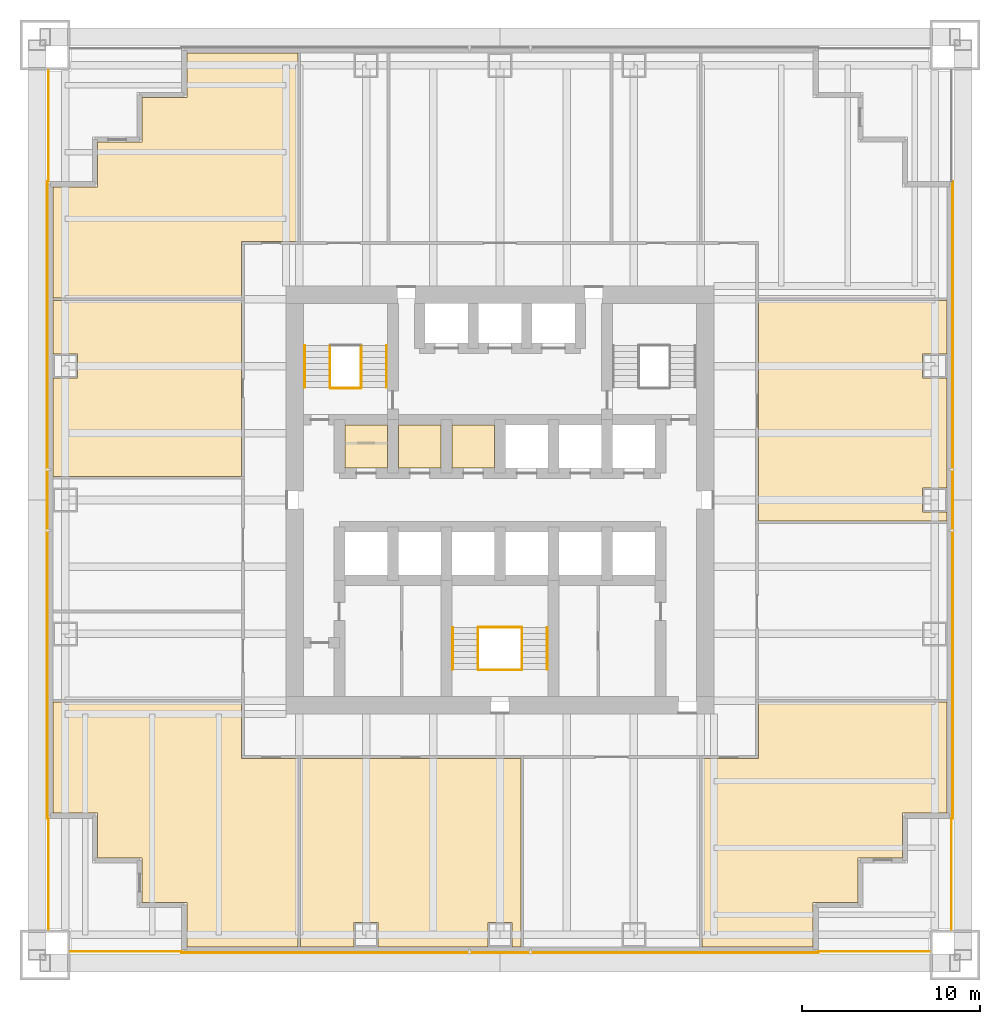
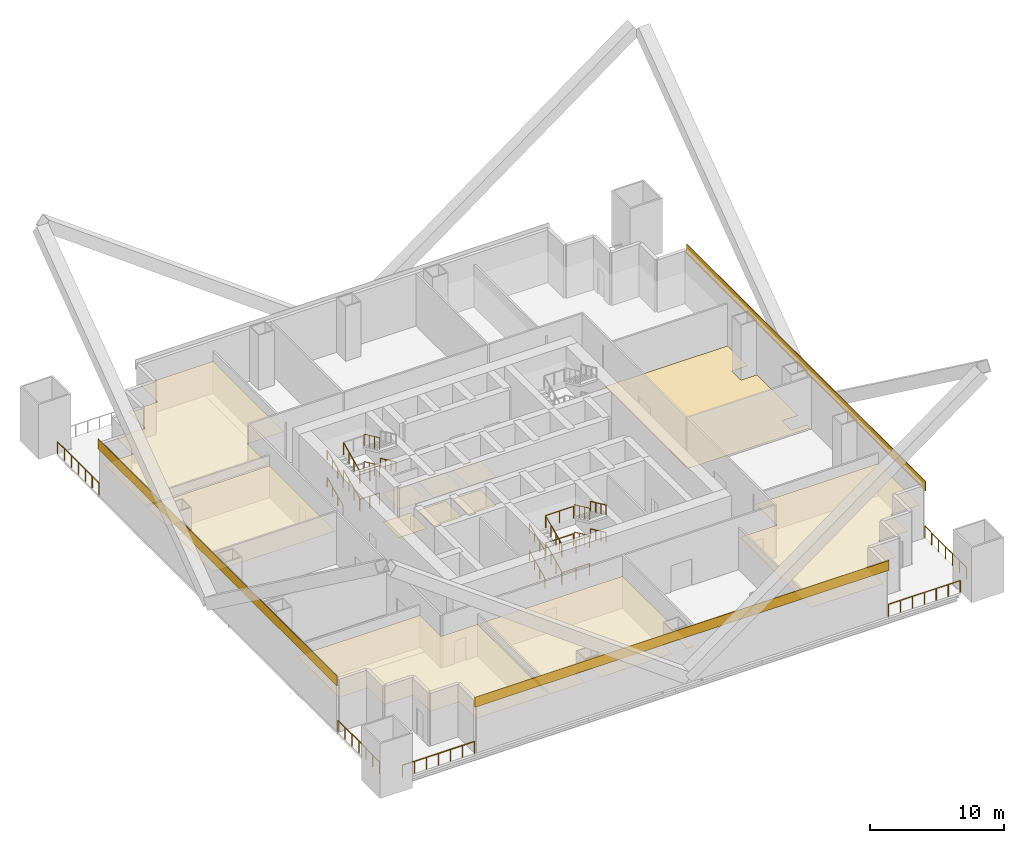
# One storey, part 6 of 7: 26 railings, 15 coverings.
"""IFC4 building model written with IfcOpenShell, lengths in metres."""

from ifc_helpers import new_model, si_unit, direction, frame, origin, origin_2d, place, context, subcontext, project, spatial, polyline, rectangle, circle, outline, extrude, material, layer, layer_set, type_object, element, save


model = new_model("IFC4")

# Units and contexts
model_context = context("Model", 3, precision=1e-05, world=origin(), true_north=direction((0.0, 1.0)))
body_context = subcontext(model_context, "Body", "Model", "MODEL_VIEW")
ifc_project = project(units=[si_unit("LENGTHUNIT", "METRE"), si_unit("AREAUNIT", "SQUARE_METRE"), si_unit("VOLUMEUNIT", "CUBIC_METRE"), si_unit("PLANEANGLEUNIT", "RADIAN"), si_unit("MASSUNIT", "GRAM", prefix="KILO")], contexts=[model_context])

# Site, building, storey
site_placement = place(None, origin())
site = spatial("IfcSite", under=ifc_project, at=site_placement, CompositionType="ELEMENT")
building_placement = place(site_placement, origin())
building = spatial("IfcBuilding", under=site, at=building_placement, Name="Tarangal Relay Tower", CompositionType="ELEMENT")
storey_placement = place(building_placement, frame((0.0, 0.0, 78.39990234375)))
storey = spatial("IfcBuildingStorey", under=building, at=storey_placement, Name="L15", CompositionType="ELEMENT", Elevation=78.39990234375)

# Coverings
ifc_material_1 = material(Name="Anti-static vinyl flooring", Category="plastic")
ifc_layer_1 = layer(ifc_material_1, 0.010009765625)
ifc_layer_set_1 = layer_set([ifc_layer_1], Name="Anti-static vinyl floor")
covering_type_1 = type_object("IfcCoveringType", Name="Anti-static vinyl floor", PredefinedType="FLOORING", material=ifc_layer_set_1)
covering_1_placement = place(storey_placement, origin())
element("IfcCovering", 1, at=covering_1_placement, inside=storey, type_object=covering_type_1, Name="Floor finish FL1 L15-D1", PredefinedType="FLOORING", context=body_context, shape_type="SweptSolid", body=[
    extrude(outline(polyline([(-8.699951171875, 1.800048828125), (-6.300048828125, 1.800048828125), (-6.300048828125, 4.199951171875), (-8.699951171875, 4.199951171875), (-8.699951171875, 1.800048828125)])), origin(), (0.0, 0.0, 1.0), 0.010009765625),
])
covering_2_placement = place(storey_placement, origin())
element("IfcCovering", 2, at=covering_2_placement, inside=storey, type_object=covering_type_1, Name="Floor finish FL1 L15-D2", PredefinedType="FLOORING", context=body_context, shape_type="SweptSolid", body=[
    extrude(outline(polyline([(-5.699951171875, 1.800048828125), (-3.300048828125, 1.800048828125), (-3.300048828125, 4.199951171875), (-5.699951171875, 4.199951171875), (-5.699951171875, 1.800048828125)])), origin(), (0.0, 0.0, 1.0), 0.010009765625),
])
covering_3_placement = place(storey_placement, origin())
element("IfcCovering", 3, at=covering_3_placement, inside=storey, type_object=covering_type_1, Name="Floor finish FL1 L15-D3", PredefinedType="FLOORING", context=body_context, shape_type="SweptSolid", body=[
    extrude(outline(polyline([(-2.699951171875, 1.800048828125), (-0.300048828125, 1.800048828125), (-0.300048828125, 4.199951171875), (-2.699951171875, 4.199951171875), (-2.699951171875, 1.800048828125)])), origin(), (0.0, 0.0, 1.0), 0.010009765625),
])
covering_4_placement = place(storey_placement, origin())
element("IfcCovering", 4, at=covering_4_placement, inside=storey, type_object=covering_type_1, Name="Floor finish FL1 L15-05", PredefinedType="FLOORING", context=body_context, shape_type="SweptSolid", body=[
    extrude(outline(polyline([(25.050048828125, -1.175048828125), (25.050048828125, 11.175048828125), (14.47509765625, 11.175048828125), (14.47509765625, -1.175048828125), (25.050048828125, -1.175048828125)]), holes=[polyline([(25.0400390625, -0.675048828125), (25.0400390625, 0.675048828125), (23.68994140625, 0.675048828125), (23.68994140625, -0.675048828125), (25.0400390625, -0.675048828125)]), polyline([(25.0400390625, 6.824951171875), (25.0400390625, 8.175048828125), (23.68994140625, 8.175048828125), (23.68994140625, 6.824951171875), (25.0400390625, 6.824951171875)])]), origin(), (0.0, 0.0, 1.0), 0.010009765625),
])
ifc_material_2 = material(Name="Black anodised aluminium cladding", Category="aluminium")
ifc_layer_2 = layer(ifc_material_2, 0.050048828125)
ifc_layer_set_2 = layer_set([ifc_layer_2], Name="Black metal spandrel band")
covering_type_2 = type_object("IfcCoveringType", Name="Black metal spandrel band", PredefinedType="CLADDING", material=ifc_layer_set_2)
for number, where, z_axis, x_axis, name in (
    (5, (25.375, 0.0, 4.250244140625), (0.0, 0.0, 1.0), (0.0, -1.0, 0.0), "Spandrel band SB1 E L15"),
    (6, (0.0, -25.375, 4.250244140625), (0.0, 0.0, 1.0), (-1.0, 0.0, 0.0), "Spandrel band SB1 S L15"),
    (7, (-25.375, 0.0, 4.250244140625), (0.0, 0.0, 1.0), (0.0, 1.0, 0.0), "Spandrel band SB1 W L15"),
):
    element("IfcCovering", number, at=place(storey_placement, frame(where, z_axis=z_axis, x_axis=x_axis)), inside=storey, type_object=covering_type_2, Name=name, PredefinedType="CLADDING", context=body_context, shape_type="SweptSolid", body=[
        extrude(rectangle(XDim=35.699951171875, YDim=0.050048828125, at=origin_2d()), origin(), (0.0, 0.0, 1.0), 0.89990234375),
    ])

# Railings
ifc_material_3 = material(Name="Steel guard, black finish", Category="steel")
railing_type_1 = type_object("IfcRailingType", Name="Stair guard 1100", PredefinedType="GUARDRAIL", material=ifc_material_3)
railing_1_placement = place(storey_placement, frame((-9.530029296875, 6.300048828125, 0.156494140625)))
element("IfcRailing", 8, at=railing_1_placement, inside=storey, type_object=railing_type_1, Name="Stair ST-A guard GR1 L15 flight 1", PredefinedType="GUARDRAIL", context=body_context, shape_type="SweptSolid", body=[
    extrude(circle(Radius=0.02392578125, at=origin_2d()), frame((0.0, 0.0, 1.076171875), z_axis=(0.0, 0.906303632821, 0.42262717037), x_axis=(-1.0, 0.0, 0.0)), (0.0, 0.0, 1.0), 2.58740234375),
    extrude(circle(Radius=0.02099609375, at=origin_2d()), origin(), (0.0, 0.0, 1.0), 1.052001953125),
    extrude(circle(Radius=0.02099609375, at=origin_2d()), frame((0.0, 0.78173828125, 0.364501953125)), (0.0, 0.0, 1.0), 1.052001953125),
    extrude(circle(Radius=0.02099609375, at=origin_2d()), frame((0.0, 1.563232421875, 0.72900390625)), (0.0, 0.0, 1.0), 1.052001953125),
    extrude(circle(Radius=0.02099609375, at=origin_2d()), frame((0.0, 2.344970703125, 1.093505859375)), (0.0, 0.0, 1.0), 1.052001953125),
])
railing_2_placement = place(storey_placement, frame((-7.77001953125, 8.64501953125, 1.406494140625)))
element("IfcRailing", 9, at=railing_2_placement, inside=storey, type_object=railing_type_1, Name="Stair ST-A guard GR1 L15 flight 2", PredefinedType="GUARDRAIL", context=body_context, shape_type="SweptSolid", body=[
    extrude(circle(Radius=0.02392578125, at=origin_2d()), frame((0.0, 0.0, 1.076171875), z_axis=(0.0, -0.906303632821, 0.42262717037), x_axis=(1.0, 0.0, 0.0)), (0.0, 0.0, 1.0), 2.58740234375),
    extrude(circle(Radius=0.02099609375, at=origin_2d()), origin(), (0.0, 0.0, 1.0), 1.052001953125),
    extrude(circle(Radius=0.02099609375, at=origin_2d()), frame((0.0, -0.78173828125, 0.364501953125)), (0.0, 0.0, 1.0), 1.052001953125),
    extrude(circle(Radius=0.02099609375, at=origin_2d()), frame((0.0, -1.563232421875, 0.72900390625)), (0.0, 0.0, 1.0), 1.052001953125),
    extrude(circle(Radius=0.02099609375, at=origin_2d()), frame((0.0, -2.344970703125, 1.093505859375)), (0.0, 0.0, 1.0), 1.052001953125),
])
railing_3_placement = place(storey_placement, frame((-9.530029296875, 6.300048828125, 2.656494140625)))
element("IfcRailing", 10, at=railing_3_placement, inside=storey, type_object=railing_type_1, Name="Stair ST-A guard GR1 L15 flight 3", PredefinedType="GUARDRAIL", context=body_context, shape_type="SweptSolid", body=[
    extrude(circle(Radius=0.02392578125, at=origin_2d()), frame((0.0, 0.0, 1.076171875), z_axis=(0.0, 0.906303632821, 0.42262717037), x_axis=(-1.0, 0.0, 0.0)), (0.0, 0.0, 1.0), 2.58740234375),
    extrude(circle(Radius=0.02099609375, at=origin_2d()), origin(), (0.0, 0.0, 1.0), 1.052001953125),
    extrude(circle(Radius=0.02099609375, at=origin_2d()), frame((0.0, 0.78173828125, 0.364501953125)), (0.0, 0.0, 1.0), 1.052001953125),
    extrude(circle(Radius=0.02099609375, at=origin_2d()), frame((0.0, 1.563232421875, 0.72900390625)), (0.0, 0.0, 1.0), 1.052001953125),
    extrude(circle(Radius=0.02099609375, at=origin_2d()), frame((0.0, 2.344970703125, 1.093505859375)), (0.0, 0.0, 1.0), 1.052001953125),
])
railing_4_placement = place(storey_placement, frame((-7.77001953125, 8.64501953125, 3.906494140625)))
element("IfcRailing", 11, at=railing_4_placement, inside=storey, type_object=railing_type_1, Name="Stair ST-A guard GR1 L15 flight 4", PredefinedType="GUARDRAIL", context=body_context, shape_type="SweptSolid", body=[
    extrude(circle(Radius=0.02392578125, at=origin_2d()), frame((0.0, 0.0, 1.076171875), z_axis=(0.0, -0.906303632821, 0.42262717037), x_axis=(1.0, 0.0, 0.0)), (0.0, 0.0, 1.0), 2.58740234375),
    extrude(circle(Radius=0.02099609375, at=origin_2d()), origin(), (0.0, 0.0, 1.0), 1.052001953125),
    extrude(circle(Radius=0.02099609375, at=origin_2d()), frame((0.0, -0.78173828125, 0.364501953125)), (0.0, 0.0, 1.0), 1.052001953125),
    extrude(circle(Radius=0.02099609375, at=origin_2d()), frame((0.0, -1.563232421875, 0.72900390625)), (0.0, 0.0, 1.0), 1.052001953125),
    extrude(circle(Radius=0.02099609375, at=origin_2d()), frame((0.0, -2.344970703125, 1.093505859375)), (0.0, 0.0, 1.0), 1.052001953125),
])
for number, where, name in (
    (12, (-9.5, 6.27001953125, 0.0), "Stair ST-A landing guard GR1 L15"),
    (13, (-9.5, 6.27001953125, 2.5), "Stair ST-A landing guard GR1 L15"),
):
    element("IfcRailing", number, at=place(storey_placement, frame(where)), inside=storey, type_object=railing_type_1, Name=name, PredefinedType="GUARDRAIL", context=body_context, shape_type="SweptSolid", body=[
        extrude(circle(Radius=0.02392578125, at=origin_2d()), frame((0.0, 0.0, 1.076171875), z_axis=(1.0, 0.0, 0.0), x_axis=(0.0, 1.0, 0.0)), (0.0, 0.0, 1.0), 1.699951171875),
        extrude(circle(Radius=0.02099609375, at=origin_2d()), origin(), (0.0, 0.0, 1.0), 1.052001953125),
        extrude(circle(Radius=0.02099609375, at=origin_2d()), frame((0.85009765625, 0.0, 0.0)), (0.0, 0.0, 1.0), 1.052001953125),
        extrude(circle(Radius=0.02099609375, at=origin_2d()), frame((1.699951171875, 0.0, 0.0)), (0.0, 0.0, 1.0), 1.052001953125),
    ])
railing_5_placement = place(storey_placement, frame((-1.22998046875, -9.5, 0.156494140625)))
element("IfcRailing", 14, at=railing_5_placement, inside=storey, type_object=railing_type_1, Name="Stair ST-C guard GR1 L15 flight 1", PredefinedType="GUARDRAIL", context=body_context, shape_type="SweptSolid", body=[
    extrude(circle(Radius=0.02392578125, at=origin_2d()), frame((0.0, 0.0, 1.076171875), z_axis=(0.0, 0.906303632821, 0.42262717037), x_axis=(-1.0, 0.0, 0.0)), (0.0, 0.0, 1.0), 2.58740234375),
    extrude(circle(Radius=0.02099609375, at=origin_2d()), origin(), (0.0, 0.0, 1.0), 1.052001953125),
    extrude(circle(Radius=0.02099609375, at=origin_2d()), frame((0.0, 0.78173828125, 0.364501953125)), (0.0, 0.0, 1.0), 1.052001953125),
    extrude(circle(Radius=0.02099609375, at=origin_2d()), frame((0.0, 1.563232421875, 0.72900390625)), (0.0, 0.0, 1.0), 1.052001953125),
    extrude(circle(Radius=0.02099609375, at=origin_2d()), frame((0.0, 2.344970703125, 1.093505859375)), (0.0, 0.0, 1.0), 1.052001953125),
])
railing_6_placement = place(storey_placement, frame((1.22998046875, -7.155029296875, 1.406494140625)))
element("IfcRailing", 15, at=railing_6_placement, inside=storey, type_object=railing_type_1, Name="Stair ST-C guard GR1 L15 flight 2", PredefinedType="GUARDRAIL", context=body_context, shape_type="SweptSolid", body=[
    extrude(circle(Radius=0.02392578125, at=origin_2d()), frame((0.0, 0.0, 1.076171875), z_axis=(0.0, -0.906303632821, 0.42262717037), x_axis=(1.0, 0.0, 0.0)), (0.0, 0.0, 1.0), 2.58740234375),
    extrude(circle(Radius=0.02099609375, at=origin_2d()), origin(), (0.0, 0.0, 1.0), 1.052001953125),
    extrude(circle(Radius=0.02099609375, at=origin_2d()), frame((0.0, -0.78173828125, 0.364501953125)), (0.0, 0.0, 1.0), 1.052001953125),
    extrude(circle(Radius=0.02099609375, at=origin_2d()), frame((0.0, -1.563232421875, 0.72900390625)), (0.0, 0.0, 1.0), 1.052001953125),
    extrude(circle(Radius=0.02099609375, at=origin_2d()), frame((0.0, -2.344970703125, 1.093505859375)), (0.0, 0.0, 1.0), 1.052001953125),
])
railing_7_placement = place(storey_placement, frame((-1.22998046875, -9.5, 2.656494140625)))
element("IfcRailing", 16, at=railing_7_placement, inside=storey, type_object=railing_type_1, Name="Stair ST-C guard GR1 L15 flight 3", PredefinedType="GUARDRAIL", context=body_context, shape_type="SweptSolid", body=[
    extrude(circle(Radius=0.02392578125, at=origin_2d()), frame((0.0, 0.0, 1.076171875), z_axis=(0.0, 0.906303632821, 0.42262717037), x_axis=(-1.0, 0.0, 0.0)), (0.0, 0.0, 1.0), 2.58740234375),
    extrude(circle(Radius=0.02099609375, at=origin_2d()), origin(), (0.0, 0.0, 1.0), 1.052001953125),
    extrude(circle(Radius=0.02099609375, at=origin_2d()), frame((0.0, 0.78173828125, 0.364501953125)), (0.0, 0.0, 1.0), 1.052001953125),
    extrude(circle(Radius=0.02099609375, at=origin_2d()), frame((0.0, 1.563232421875, 0.72900390625)), (0.0, 0.0, 1.0), 1.052001953125),
    extrude(circle(Radius=0.02099609375, at=origin_2d()), frame((0.0, 2.344970703125, 1.093505859375)), (0.0, 0.0, 1.0), 1.052001953125),
])
railing_8_placement = place(storey_placement, frame((1.22998046875, -7.155029296875, 3.906494140625)))
element("IfcRailing", 17, at=railing_8_placement, inside=storey, type_object=railing_type_1, Name="Stair ST-C guard GR1 L15 flight 4", PredefinedType="GUARDRAIL", context=body_context, shape_type="SweptSolid", body=[
    extrude(circle(Radius=0.02392578125, at=origin_2d()), frame((0.0, 0.0, 1.076171875), z_axis=(0.0, -0.906303632821, 0.42262717037), x_axis=(1.0, 0.0, 0.0)), (0.0, 0.0, 1.0), 2.58740234375),
    extrude(circle(Radius=0.02099609375, at=origin_2d()), origin(), (0.0, 0.0, 1.0), 1.052001953125),
    extrude(circle(Radius=0.02099609375, at=origin_2d()), frame((0.0, -0.78173828125, 0.364501953125)), (0.0, 0.0, 1.0), 1.052001953125),
    extrude(circle(Radius=0.02099609375, at=origin_2d()), frame((0.0, -1.563232421875, 0.72900390625)), (0.0, 0.0, 1.0), 1.052001953125),
    extrude(circle(Radius=0.02099609375, at=origin_2d()), frame((0.0, -2.344970703125, 1.093505859375)), (0.0, 0.0, 1.0), 1.052001953125),
])
for number, where, name in (
    (18, (-1.199951171875, -9.530029296875, 0.0), "Stair ST-C landing guard GR1 L15"),
    (19, (-1.199951171875, -7.125, 1.25), "Stair ST-C landing guard GR1 L15"),
    (20, (-1.199951171875, -9.530029296875, 2.5), "Stair ST-C landing guard GR1 L15"),
    (21, (-1.199951171875, -7.125, 3.75), "Stair ST-C landing guard GR1 L15"),
):
    element("IfcRailing", number, at=place(storey_placement, frame(where)), inside=storey, type_object=railing_type_1, Name=name, PredefinedType="GUARDRAIL", context=body_context, shape_type="SweptSolid", body=[
        extrude(circle(Radius=0.02392578125, at=origin_2d()), frame((0.0, 0.0, 1.076171875), z_axis=(1.0, 0.0, 0.0), x_axis=(0.0, 1.0, 0.0)), (0.0, 0.0, 1.0), 2.39990234375),
        extrude(circle(Radius=0.02099609375, at=origin_2d()), origin(), (0.0, 0.0, 1.0), 1.052001953125),
        extrude(circle(Radius=0.02099609375, at=origin_2d()), frame((1.199951171875, 0.0, 0.0)), (0.0, 0.0, 1.0), 1.052001953125),
        extrude(circle(Radius=0.02099609375, at=origin_2d()), frame((2.39990234375, 0.0, 0.0)), (0.0, 0.0, 1.0), 1.052001953125),
    ])
ifc_material_4 = material(Name="Steel handrail, black finish", Category="steel")
railing_type_2 = type_object("IfcRailingType", Name="Stair handrail 900", PredefinedType="HANDRAIL", material=ifc_material_4)
railing_9_placement = place(storey_placement, frame((-10.93994140625, 6.300048828125, 0.156494140625)))
element("IfcRailing", 22, at=railing_9_placement, inside=storey, type_object=railing_type_2, Name="Stair ST-A handrail HR1 L15 flight 1", PredefinedType="HANDRAIL", context=body_context, shape_type="SweptSolid", body=[
    extrude(circle(Radius=0.02392578125, at=origin_2d()), frame((0.0, 0.0, 0.8759765625), z_axis=(0.0, 0.906303632821, 0.42262717037), x_axis=(-1.0, 0.0, 0.0)), (0.0, 0.0, 1.0), 2.58740234375),
    extrude(circle(Radius=0.02099609375, at=origin_2d()), origin(), (0.0, 0.0, 1.0), 0.851806640625),
    extrude(circle(Radius=0.02099609375, at=origin_2d()), frame((0.0, 0.78173828125, 0.364501953125)), (0.0, 0.0, 1.0), 0.851806640625),
    extrude(circle(Radius=0.02099609375, at=origin_2d()), frame((0.0, 1.563232421875, 0.72900390625)), (0.0, 0.0, 1.0), 0.851806640625),
    extrude(circle(Radius=0.02099609375, at=origin_2d()), frame((0.0, 2.344970703125, 1.093505859375)), (0.0, 0.0, 1.0), 0.851806640625),
])
railing_10_placement = place(storey_placement, frame((-6.360107421875, 8.64501953125, 1.406494140625)))
element("IfcRailing", 23, at=railing_10_placement, inside=storey, type_object=railing_type_2, Name="Stair ST-A handrail HR1 L15 flight 2", PredefinedType="HANDRAIL", context=body_context, shape_type="SweptSolid", body=[
    extrude(circle(Radius=0.02392578125, at=origin_2d()), frame((0.0, 0.0, 0.8759765625), z_axis=(0.0, -0.906303632821, 0.42262717037), x_axis=(1.0, 0.0, 0.0)), (0.0, 0.0, 1.0), 2.58740234375),
    extrude(circle(Radius=0.02099609375, at=origin_2d()), origin(), (0.0, 0.0, 1.0), 0.851806640625),
    extrude(circle(Radius=0.02099609375, at=origin_2d()), frame((0.0, -0.78173828125, 0.364501953125)), (0.0, 0.0, 1.0), 0.851806640625),
    extrude(circle(Radius=0.02099609375, at=origin_2d()), frame((0.0, -1.563232421875, 0.72900390625)), (0.0, 0.0, 1.0), 0.851806640625),
    extrude(circle(Radius=0.02099609375, at=origin_2d()), frame((0.0, -2.344970703125, 1.093505859375)), (0.0, 0.0, 1.0), 0.851806640625),
])
for number, where, name in (
    (24, (-10.93994140625, 6.300048828125, 2.656494140625), "Stair ST-A handrail HR1 L15 flight 3"),
    (25, (-2.639892578125, -9.5, 0.156494140625), "Stair ST-C handrail HR1 L15 flight 1"),
):
    element("IfcRailing", number, at=place(storey_placement, frame(where)), inside=storey, type_object=railing_type_2, Name=name, PredefinedType="HANDRAIL", context=body_context, shape_type="SweptSolid", body=[
        extrude(circle(Radius=0.02392578125, at=origin_2d()), frame((0.0, 0.0, 0.8759765625), z_axis=(0.0, 0.906303632821, 0.42262717037), x_axis=(-1.0, 0.0, 0.0)), (0.0, 0.0, 1.0), 2.58740234375),
        extrude(circle(Radius=0.02099609375, at=origin_2d()), origin(), (0.0, 0.0, 1.0), 0.851806640625),
        extrude(circle(Radius=0.02099609375, at=origin_2d()), frame((0.0, 0.78173828125, 0.364501953125)), (0.0, 0.0, 1.0), 0.851806640625),
        extrude(circle(Radius=0.02099609375, at=origin_2d()), frame((0.0, 1.563232421875, 0.72900390625)), (0.0, 0.0, 1.0), 0.851806640625),
        extrude(circle(Radius=0.02099609375, at=origin_2d()), frame((0.0, 2.344970703125, 1.093505859375)), (0.0, 0.0, 1.0), 0.851806640625),
    ])
railing_11_placement = place(storey_placement, frame((2.639892578125, -7.155029296875, 1.406494140625)))
element("IfcRailing", 26, at=railing_11_placement, inside=storey, type_object=railing_type_2, Name="Stair ST-C handrail HR1 L15 flight 2", PredefinedType="HANDRAIL", context=body_context, shape_type="SweptSolid", body=[
    extrude(circle(Radius=0.02392578125, at=origin_2d()), frame((0.0, 0.0, 0.8759765625), z_axis=(0.0, -0.906303632821, 0.42262717037), x_axis=(1.0, 0.0, 0.0)), (0.0, 0.0, 1.0), 2.58740234375),
    extrude(circle(Radius=0.02099609375, at=origin_2d()), origin(), (0.0, 0.0, 1.0), 0.851806640625),
    extrude(circle(Radius=0.02099609375, at=origin_2d()), frame((0.0, -0.78173828125, 0.364501953125)), (0.0, 0.0, 1.0), 0.851806640625),
    extrude(circle(Radius=0.02099609375, at=origin_2d()), frame((0.0, -1.563232421875, 0.72900390625)), (0.0, 0.0, 1.0), 0.851806640625),
    extrude(circle(Radius=0.02099609375, at=origin_2d()), frame((0.0, -2.344970703125, 1.093505859375)), (0.0, 0.0, 1.0), 0.851806640625),
])
railing_12_placement = place(storey_placement, frame((-2.639892578125, -9.5, 2.656494140625)))
element("IfcRailing", 27, at=railing_12_placement, inside=storey, type_object=railing_type_2, Name="Stair ST-C handrail HR1 L15 flight 3", PredefinedType="HANDRAIL", context=body_context, shape_type="SweptSolid", body=[
    extrude(circle(Radius=0.02392578125, at=origin_2d()), frame((0.0, 0.0, 0.8759765625), z_axis=(0.0, 0.906303632821, 0.42262717037), x_axis=(-1.0, 0.0, 0.0)), (0.0, 0.0, 1.0), 2.58740234375),
    extrude(circle(Radius=0.02099609375, at=origin_2d()), origin(), (0.0, 0.0, 1.0), 0.851806640625),
    extrude(circle(Radius=0.02099609375, at=origin_2d()), frame((0.0, 0.78173828125, 0.364501953125)), (0.0, 0.0, 1.0), 0.851806640625),
    extrude(circle(Radius=0.02099609375, at=origin_2d()), frame((0.0, 1.563232421875, 0.72900390625)), (0.0, 0.0, 1.0), 0.851806640625),
    extrude(circle(Radius=0.02099609375, at=origin_2d()), frame((0.0, 2.344970703125, 1.093505859375)), (0.0, 0.0, 1.0), 0.851806640625),
])
railing_13_placement = place(storey_placement, frame((2.639892578125, -7.155029296875, 3.906494140625)))
element("IfcRailing", 28, at=railing_13_placement, inside=storey, type_object=railing_type_2, Name="Stair ST-C handrail HR1 L15 flight 4", PredefinedType="HANDRAIL", context=body_context, shape_type="SweptSolid", body=[
    extrude(circle(Radius=0.02392578125, at=origin_2d()), frame((0.0, 0.0, 0.8759765625), z_axis=(0.0, -0.906303632821, 0.42262717037), x_axis=(1.0, 0.0, 0.0)), (0.0, 0.0, 1.0), 2.58740234375),
    extrude(circle(Radius=0.02099609375, at=origin_2d()), origin(), (0.0, 0.0, 1.0), 0.851806640625),
    extrude(circle(Radius=0.02099609375, at=origin_2d()), frame((0.0, -0.78173828125, 0.364501953125)), (0.0, 0.0, 1.0), 0.851806640625),
    extrude(circle(Radius=0.02099609375, at=origin_2d()), frame((0.0, -1.563232421875, 0.72900390625)), (0.0, 0.0, 1.0), 0.851806640625),
    extrude(circle(Radius=0.02099609375, at=origin_2d()), frame((0.0, -2.344970703125, 1.093505859375)), (0.0, 0.0, 1.0), 0.851806640625),
])

# Coverings
ifc_material_5 = material(Name="Mineral fibre ceiling tiles", Category="gypsum")
ifc_layer_3 = layer(ifc_material_5, 0.02001953125)
ifc_layer_set_3 = layer_set([ifc_layer_3], Name="Suspended ceiling")
covering_type_3 = type_object("IfcCoveringType", Name="Suspended ceiling", PredefinedType="CEILING", material=ifc_layer_set_3)
covering_5_placement = place(storey_placement, frame((0.0, 0.0, 2.60009765625)))
element("IfcCovering", 29, at=covering_5_placement, inside=storey, type_object=covering_type_3, Name="Suspended ceiling CL1 L15-D1", PredefinedType="CEILING", context=body_context, shape_type="SweptSolid", body=[
    extrude(outline(polyline([(-8.699951171875, 1.800048828125), (-6.300048828125, 1.800048828125), (-6.300048828125, 4.199951171875), (-8.699951171875, 4.199951171875), (-8.699951171875, 1.800048828125)])), origin(), (0.0, 0.0, 1.0), 0.02001953125),
])
covering_6_placement = place(storey_placement, frame((0.0, 0.0, 2.60009765625)))
element("IfcCovering", 30, at=covering_6_placement, inside=storey, type_object=covering_type_3, Name="Suspended ceiling CL1 L15-D2", PredefinedType="CEILING", context=body_context, shape_type="SweptSolid", body=[
    extrude(outline(polyline([(-5.699951171875, 1.800048828125), (-3.300048828125, 1.800048828125), (-3.300048828125, 4.199951171875), (-5.699951171875, 4.199951171875), (-5.699951171875, 1.800048828125)])), origin(), (0.0, 0.0, 1.0), 0.02001953125),
])
covering_7_placement = place(storey_placement, frame((0.0, 0.0, 2.60009765625)))
element("IfcCovering", 31, at=covering_7_placement, inside=storey, type_object=covering_type_3, Name="Suspended ceiling CL1 L15-D3", PredefinedType="CEILING", context=body_context, shape_type="SweptSolid", body=[
    extrude(outline(polyline([(-2.699951171875, 1.800048828125), (-0.300048828125, 1.800048828125), (-0.300048828125, 4.199951171875), (-2.699951171875, 4.199951171875), (-2.699951171875, 1.800048828125)])), origin(), (0.0, 0.0, 1.0), 0.02001953125),
])
covering_8_placement = place(storey_placement, frame((0.0, 0.0, 2.900146484375)))
element("IfcCovering", 32, at=covering_8_placement, inside=storey, type_object=covering_type_3, Name="Suspended ceiling CL1 L15-08", PredefinedType="CEILING", context=body_context, shape_type="SweptSolid", body=[
    extrude(outline(polyline([(-11.175048828125, -25.050048828125), (1.175048828125, -25.050048828125), (1.175048828125, -14.47509765625), (-11.175048828125, -14.47509765625), (-11.175048828125, -25.050048828125)]), holes=[polyline([(-6.824951171875, -25.0400390625), (-6.824951171875, -23.68994140625), (-8.175048828125, -23.68994140625), (-8.175048828125, -25.0400390625), (-6.824951171875, -25.0400390625)]), polyline([(0.675048828125, -25.0400390625), (0.675048828125, -23.68994140625), (-0.675048828125, -23.68994140625), (-0.675048828125, -25.0400390625), (0.675048828125, -25.0400390625)])]), origin(), (0.0, 0.0, 1.0), 0.02001953125),
])
covering_9_placement = place(storey_placement, frame((0.0, 0.0, 2.900146484375)))
element("IfcCovering", 33, at=covering_9_placement, inside=storey, type_object=covering_type_3, Name="Suspended ceiling CL1 L15-11", PredefinedType="CEILING", context=body_context, shape_type="SweptSolid", body=[
    extrude(outline(polyline([(-25.050048828125, 11.175048828125), (-25.050048828125, 1.324951171875), (-14.47509765625, 1.324951171875), (-14.47509765625, 11.175048828125), (-25.050048828125, 11.175048828125)]), holes=[polyline([(-23.68994140625, 8.175048828125), (-25.0400390625, 8.175048828125), (-25.0400390625, 6.824951171875), (-23.68994140625, 6.824951171875), (-23.68994140625, 8.175048828125)])]), origin(), (0.0, 0.0, 1.0), 0.02001953125),
])
covering_10_placement = place(storey_placement, frame((0.0, 0.0, 2.900146484375)))
element("IfcCovering", 34, at=covering_10_placement, inside=storey, type_object=covering_type_3, Name="Suspended ceiling CL1 L15-13", PredefinedType="CEILING", context=body_context, shape_type="SweptSolid", body=[
    extrude(outline(polyline([(25.050048828125, -17.550048828125), (25.050048828125, -11.324951171875), (14.47509765625, -11.324951171875), (14.47509765625, -14.47509765625), (11.324951171875, -14.47509765625), (11.324951171875, -25.050048828125), (17.550048828125, -25.050048828125), (17.550048828125, -22.550048828125), (20.050048828125, -22.550048828125), (20.050048828125, -20.050048828125), (22.550048828125, -20.050048828125), (22.550048828125, -17.550048828125), (25.050048828125, -17.550048828125)])), origin(), (0.0, 0.0, 1.0), 0.02001953125),
])
covering_11_placement = place(storey_placement, frame((0.0, 0.0, 2.900146484375)))
element("IfcCovering", 35, at=covering_11_placement, inside=storey, type_object=covering_type_3, Name="Suspended ceiling CL1 L15-14", PredefinedType="CEILING", context=body_context, shape_type="SweptSolid", body=[
    extrude(outline(polyline([(-17.550048828125, -22.550048828125), (-17.550048828125, -25.050048828125), (-11.324951171875, -25.050048828125), (-11.324951171875, -14.47509765625), (-14.47509765625, -14.47509765625), (-14.47509765625, -11.324951171875), (-25.050048828125, -11.324951171875), (-25.050048828125, -17.550048828125), (-22.550048828125, -17.550048828125), (-22.550048828125, -20.050048828125), (-20.050048828125, -20.050048828125), (-20.050048828125, -22.550048828125), (-17.550048828125, -22.550048828125)])), origin(), (0.0, 0.0, 1.0), 0.02001953125),
])
covering_12_placement = place(storey_placement, frame((0.0, 0.0, 2.900146484375)))
element("IfcCovering", 36, at=covering_12_placement, inside=storey, type_object=covering_type_3, Name="Suspended ceiling CL1 L15-15", PredefinedType="CEILING", context=body_context, shape_type="SweptSolid", body=[
    extrude(outline(polyline([(-22.550048828125, 17.550048828125), (-25.050048828125, 17.550048828125), (-25.050048828125, 11.324951171875), (-14.47509765625, 11.324951171875), (-14.47509765625, 14.47509765625), (-11.324951171875, 14.47509765625), (-11.324951171875, 25.050048828125), (-17.550048828125, 25.050048828125), (-17.550048828125, 22.550048828125), (-20.050048828125, 22.550048828125), (-20.050048828125, 20.050048828125), (-22.550048828125, 20.050048828125), (-22.550048828125, 17.550048828125)])), origin(), (0.0, 0.0, 1.0), 0.02001953125),
])

# Railings
ifc_material_6 = material(Name="Black steel guard with glass infill", Category="steel")
railing_type_3 = type_object("IfcRailingType", Name="Terrace guard 1100", PredefinedType="GUARDRAIL", material=ifc_material_6)
railing_14_placement = place(storey_placement, frame((25.300048828125, -17.85009765625, 0.0)))
element("IfcRailing", 37, at=railing_14_placement, inside=storey, type_object=railing_type_3, Name="Terrace guard GR2 SE L15", PredefinedType="GUARDRAIL", context=body_context, shape_type="SweptSolid", body=[
    extrude(circle(Radius=0.02392578125, at=origin_2d()), frame((0.0, 0.0, 1.076171875), z_axis=(0.0, -1.0, 0.0), x_axis=(1.0, 0.0, 0.0)), (0.0, 0.0, 1.0), 6.199951171875),
    extrude(circle(Radius=0.02099609375, at=origin_2d()), origin(), (0.0, 0.0, 1.0), 1.052001953125),
    extrude(circle(Radius=0.02099609375, at=origin_2d()), frame((0.0, -1.033203125, 0.0)), (0.0, 0.0, 1.0), 1.052001953125),
    extrude(circle(Radius=0.02099609375, at=origin_2d()), frame((0.0, -2.066650390625, 0.0)), (0.0, 0.0, 1.0), 1.052001953125),
    extrude(circle(Radius=0.02099609375, at=origin_2d()), frame((0.0, -3.10009765625, 0.0)), (0.0, 0.0, 1.0), 1.052001953125),
    extrude(circle(Radius=0.02099609375, at=origin_2d()), frame((0.0, -4.13330078125, 0.0)), (0.0, 0.0, 1.0), 1.052001953125),
    extrude(circle(Radius=0.02099609375, at=origin_2d()), frame((0.0, -5.16650390625, 0.0)), (0.0, 0.0, 1.0), 1.052001953125),
    extrude(circle(Radius=0.02099609375, at=origin_2d()), frame((0.0, -6.199951171875, 0.0)), (0.0, 0.0, 1.0), 1.052001953125),
])
for number, where, name in (
    (38, (24.050048828125, -25.300048828125, 0.0), "Terrace guard GR2 SE L15"),
    (39, (-17.85009765625, -25.300048828125, 0.0), "Terrace guard GR2 SW L15"),
):
    element("IfcRailing", number, at=place(storey_placement, frame(where)), inside=storey, type_object=railing_type_3, Name=name, PredefinedType="GUARDRAIL", context=body_context, shape_type="SweptSolid", body=[
        extrude(circle(Radius=0.02392578125, at=origin_2d()), frame((0.0, 0.0, 1.076171875), z_axis=(-1.0, 0.0, 0.0), x_axis=(0.0, -1.0, 0.0)), (0.0, 0.0, 1.0), 6.199951171875),
        extrude(circle(Radius=0.02099609375, at=origin_2d()), origin(), (0.0, 0.0, 1.0), 1.052001953125),
        extrude(circle(Radius=0.02099609375, at=origin_2d()), frame((-1.033203125, 0.0, 0.0)), (0.0, 0.0, 1.0), 1.052001953125),
        extrude(circle(Radius=0.02099609375, at=origin_2d()), frame((-2.066650390625, 0.0, 0.0)), (0.0, 0.0, 1.0), 1.052001953125),
        extrude(circle(Radius=0.02099609375, at=origin_2d()), frame((-3.10009765625, 0.0, 0.0)), (0.0, 0.0, 1.0), 1.052001953125),
        extrude(circle(Radius=0.02099609375, at=origin_2d()), frame((-4.13330078125, 0.0, 0.0)), (0.0, 0.0, 1.0), 1.052001953125),
        extrude(circle(Radius=0.02099609375, at=origin_2d()), frame((-5.16650390625, 0.0, 0.0)), (0.0, 0.0, 1.0), 1.052001953125),
        extrude(circle(Radius=0.02099609375, at=origin_2d()), frame((-6.199951171875, 0.0, 0.0)), (0.0, 0.0, 1.0), 1.052001953125),
    ])
for number, where, name in (
    (40, (-25.300048828125, -24.050048828125, 0.0), "Terrace guard GR2 SW L15"),
    (41, (-25.300048828125, 17.85009765625, 0.0), "Terrace guard GR2 NW L15"),
):
    element("IfcRailing", number, at=place(storey_placement, frame(where)), inside=storey, type_object=railing_type_3, Name=name, PredefinedType="GUARDRAIL", context=body_context, shape_type="SweptSolid", body=[
        extrude(circle(Radius=0.02392578125, at=origin_2d()), frame((0.0, 0.0, 1.076171875), z_axis=(0.0, 1.0, 0.0), x_axis=(-1.0, 0.0, 0.0)), (0.0, 0.0, 1.0), 6.199951171875),
        extrude(circle(Radius=0.02099609375, at=origin_2d()), origin(), (0.0, 0.0, 1.0), 1.052001953125),
        extrude(circle(Radius=0.02099609375, at=origin_2d()), frame((0.0, 1.033203125, 0.0)), (0.0, 0.0, 1.0), 1.052001953125),
        extrude(circle(Radius=0.02099609375, at=origin_2d()), frame((0.0, 2.066650390625, 0.0)), (0.0, 0.0, 1.0), 1.052001953125),
        extrude(circle(Radius=0.02099609375, at=origin_2d()), frame((0.0, 3.10009765625, 0.0)), (0.0, 0.0, 1.0), 1.052001953125),
        extrude(circle(Radius=0.02099609375, at=origin_2d()), frame((0.0, 4.13330078125, 0.0)), (0.0, 0.0, 1.0), 1.052001953125),
        extrude(circle(Radius=0.02099609375, at=origin_2d()), frame((0.0, 5.16650390625, 0.0)), (0.0, 0.0, 1.0), 1.052001953125),
        extrude(circle(Radius=0.02099609375, at=origin_2d()), frame((0.0, 6.199951171875, 0.0)), (0.0, 0.0, 1.0), 1.052001953125),
    ])

save(model, "model.ifc")
